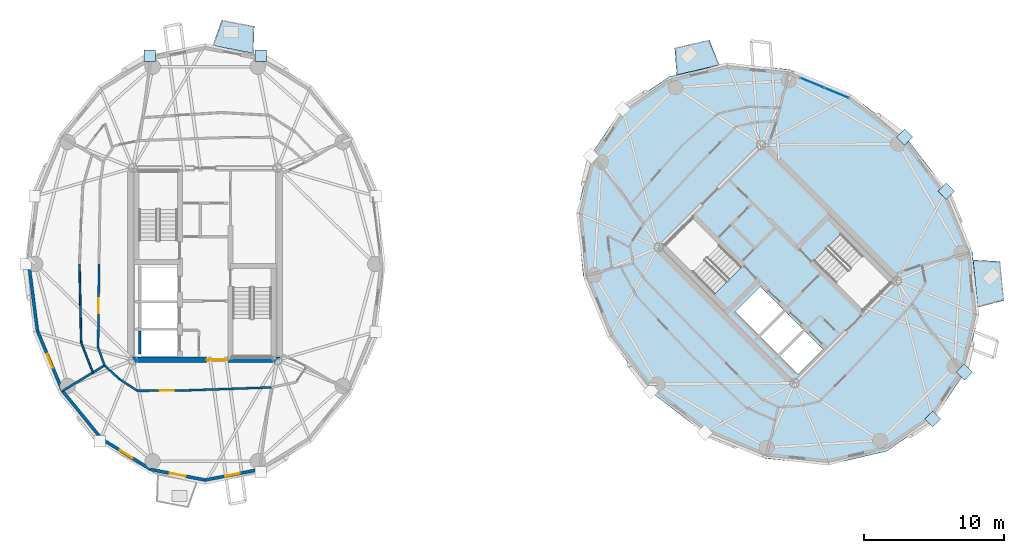
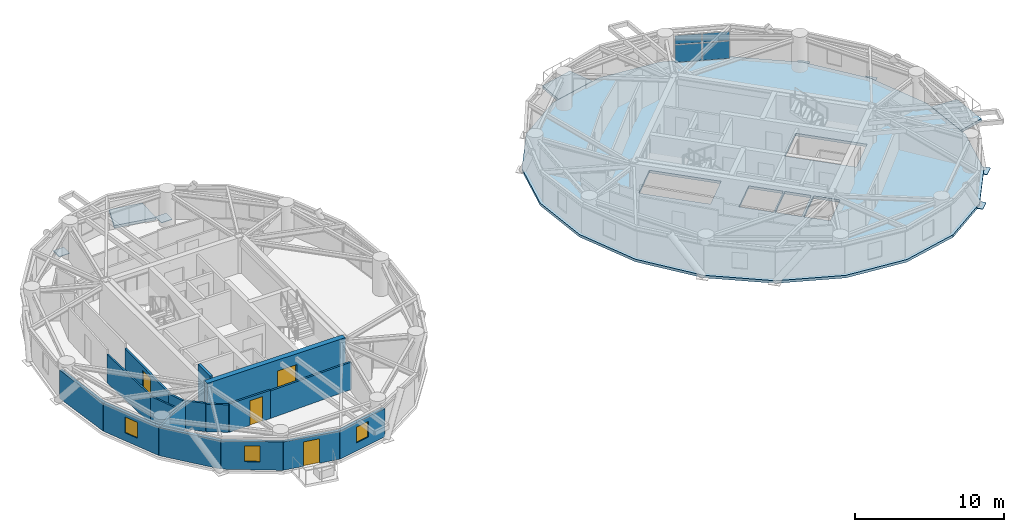
# One storey, part 7 of 16: 17 walls, 10 plates, 4 doors, 4 slabs, 3 windows, 7 openings, 1 element without a shape of its own.
"""IFC4 building model written with IfcOpenShell, lengths in metres."""

import ifcopenshell
import ifcopenshell.guid

model = None  # the IFC model being written
_history = None  # IfcOwnerHistory: only IFC2X3 demands one
_inside = {}  # id of a spatial element -> (the spatial element, [elements in it])
_under = {}  # id of a project, library or spatial element -> (it, [spatial elements below it])
_declared = {}  # id of a project -> (the project, [libraries it declares])
_typed = {}  # id of a type object -> (the type object, [elements of that type])
_made_of = {}  # id of a material, layer set ... -> (it, [elements and type objects made of it])


def new_model(schema):
    """Start an empty IFC model of exactly this schema.

    Asked for "IFC4X3", IfcOpenShell would pick the latest addendum, in which some entities
    have other attributes; the version numbers below select the first issue.
    IFC2X3 requires an IfcOwnerHistory on every rooted entity: one is made here for all.
    """
    global model, _history
    if schema == "IFC4X3":
        model = ifcopenshell.file(schema_version=(4, 3, 0, 0))
    else:
        model = ifcopenshell.file(schema=schema)
    _inside.clear()
    _under.clear()
    _declared.clear()
    _typed.clear()
    _made_of.clear()
    _history = None
    if model.schema == "IFC2X3":
        org = make("IfcOrganization", Name="unknown")
        user = make(
            "IfcPersonAndOrganization",
            ThePerson=make("IfcPerson", FamilyName="unknown"),
            TheOrganization=org,
        )
        app = make(
            "IfcApplication",
            ApplicationDeveloper=org,
            Version="unknown",
            ApplicationFullName="unknown",
            ApplicationIdentifier="unknown",
        )
        _history = make(
            "IfcOwnerHistory",
            OwningUser=user,
            OwningApplication=app,
            ChangeAction="ADDED",
            CreationDate=0,
        )
    return model


def make(cls, **values):
    """One entity of the class cls with the attributes given. An attribute that is None is left unset."""
    return model.create_entity(
        cls, **{name: value for name, value in values.items() if value is not None}
    )


def rooted(cls, **values):
    """An entity with a GlobalId (a new one), such as an element, a storey or a relation."""
    return make(cls, GlobalId=ifcopenshell.guid.new(), OwnerHistory=_history, **values)


def si_unit(unit_type, name, prefix=None):
    """IfcSIUnit, for example si_unit("LENGTHUNIT", "METRE", prefix="MILLI")."""
    return make("IfcSIUnit", UnitType=unit_type, Prefix=prefix, Name=name)


def assignment(units):
    """IfcUnitAssignment: the units of a project."""
    return None if units is None else make("IfcUnitAssignment", Units=units)


def point(xyz):
    """IfcCartesianPoint."""
    return None if xyz is None else make("IfcCartesianPoint", Coordinates=xyz)


def direction(xyz):
    """IfcDirection."""
    return None if xyz is None else make("IfcDirection", DirectionRatios=xyz)


def frame(location, z_axis=None, x_axis=None):
    """IfcAxis2Placement3D, a coordinate frame: its origin and axes. An axis left out is left unset."""
    return make(
        "IfcAxis2Placement3D",
        Location=point(location),
        Axis=direction(z_axis),
        RefDirection=direction(x_axis),
    )


def frame_2d(location, x_axis=None):
    """IfcAxis2Placement2D, a coordinate frame in the plane: its origin and x axis."""
    return make(
        "IfcAxis2Placement2D", Location=point(location), RefDirection=direction(x_axis)
    )


def origin():
    """The frame at (0, 0, 0) with its axes left unset."""
    return frame((0.0, 0.0, 0.0))


def origin_2d():
    """The frame at (0, 0) in the plane with its x axis left unset."""
    return frame_2d((0.0, 0.0))


def place(relative_to, where):
    """IfcLocalPlacement: puts the frame where relative to a parent placement (None: the world)."""
    return make(
        "IfcLocalPlacement", PlacementRelTo=relative_to, RelativePlacement=where
    )


def context(
    kind, dimensions, precision=None, world=None, true_north=None, identifier=None
):
    """IfcGeometricRepresentationContext, for example the 3D "Model" context."""
    return make(
        "IfcGeometricRepresentationContext",
        ContextIdentifier=identifier,
        ContextType=kind,
        CoordinateSpaceDimension=dimensions,
        Precision=precision,
        WorldCoordinateSystem=world,
        TrueNorth=true_north,
    )


def subcontext(parent, identifier, kind, view, scale=None):
    """IfcGeometricRepresentationSubContext, for example "Body" below "Model"."""
    return make(
        "IfcGeometricRepresentationSubContext",
        ContextIdentifier=identifier,
        ContextType=kind,
        ParentContext=parent,
        TargetScale=scale,
        TargetView=view,
    )


def project(units=None, contexts=None):
    """IfcProject with its units and contexts."""
    return rooted(
        "IfcProject",
        Name="project",
        RepresentationContexts=contexts,
        UnitsInContext=assignment(units),
    )


def spatial(cls, under=None, at=None, **own):
    """A site, building, storey or space (cls), placed at a placement, below another one or the project."""
    s = rooted(cls, ObjectPlacement=at, **own)
    if under is not None:
        _under.setdefault(under.id(), (under, []))[1].append(s)
    return s


def polyline(points):
    """IfcPolyline through the points."""
    return make("IfcPolyline", Points=[point(p) for p in points])


def profile(cls, at=None, kind="AREA", **sizes):
    """A parametric profile (cls). Its sizes go by their IFC names, for example OverallWidth=200.0."""
    return make(cls, ProfileType=kind, Position=at, **sizes)


def rectangle(**sizes):
    """IfcRectangleProfileDef."""
    return profile("IfcRectangleProfileDef", **sizes)


def outline(outer, holes=None, kind="AREA"):
    """IfcArbitraryClosedProfileDef: a profile drawn as a closed curve; with holes, ...WithVoids."""
    if holes is None:
        return make("IfcArbitraryClosedProfileDef", ProfileType=kind, OuterCurve=outer)
    return make(
        "IfcArbitraryProfileDefWithVoids",
        ProfileType=kind,
        OuterCurve=outer,
        InnerCurves=holes,
    )


def extrude(swept, where, along, depth):
    """IfcExtrudedAreaSolid: the profile swept, set in the frame where, extruded along a direction by depth."""
    return make(
        "IfcExtrudedAreaSolid",
        SweptArea=swept,
        Position=where,
        ExtrudedDirection=direction(along),
        Depth=depth,
    )


def shape(context_of_items, identifier, shape_type, items):
    """IfcShapeRepresentation: the items that make up one representation, for example the "Body"."""
    return make(
        "IfcShapeRepresentation",
        ContextOfItems=context_of_items,
        RepresentationIdentifier=identifier,
        RepresentationType=shape_type,
        Items=items,
    )


def source(mapping_origin, context_of_items, identifier, shape_type, items):
    """IfcRepresentationMap: a shape defined once, which mapped items show again and again."""
    return make(
        "IfcRepresentationMap",
        MappingOrigin=mapping_origin,
        MappedRepresentation=shape(context_of_items, identifier, shape_type, items),
    )


def transform(
    local_origin,
    x_axis=None,
    y_axis=None,
    z_axis=None,
    scale=None,
    scale2=None,
    scale3=None,
    uniform=True,
):
    """IfcCartesianTransformationOperator3D, or its non-uniform kind. x_axis, y_axis, z_axis: its Axis1, 2, 3."""
    if uniform:
        return make(
            "IfcCartesianTransformationOperator3D",
            Axis1=direction(x_axis),
            Axis2=direction(y_axis),
            LocalOrigin=point(local_origin),
            Scale=scale,
            Axis3=direction(z_axis),
        )
    return make(
        "IfcCartesianTransformationOperator3DnonUniform",
        Axis1=direction(x_axis),
        Axis2=direction(y_axis),
        LocalOrigin=point(local_origin),
        Scale=scale,
        Axis3=direction(z_axis),
        Scale2=scale2,
        Scale3=scale3,
    )


def mapped(mapping_source, mapping_target):
    """IfcMappedItem: shows the shape of a source again, moved by a transform."""
    return make(
        "IfcMappedItem", MappingSource=mapping_source, MappingTarget=mapping_target
    )


def material(Name=None, Category=None):
    """IfcMaterial."""
    return make("IfcMaterial", Name=Name, Category=Category)


def layer(
    of_material, thickness, ventilated=None, Name=None, Category=None, Priority=None
):
    """IfcMaterialLayer: one layer of a wall or slab, of a material (None: an air gap)."""
    return make(
        "IfcMaterialLayer",
        Material=of_material,
        LayerThickness=thickness,
        IsVentilated=ventilated,
        Name=Name,
        Category=Category,
        Priority=Priority,
    )


def layer_set(layers, Name=None):
    """IfcMaterialLayerSet."""
    return make("IfcMaterialLayerSet", MaterialLayers=layers, LayerSetName=Name)


def made_of(thing, what):
    """Note that an element or type object is made of a material, layer set ...; save() writes the relation."""
    if what is not None:
        _made_of.setdefault(what.id(), (what, []))[1].append(thing)
    return thing


def type_object(cls, material=None, **own):
    """A type object (cls), such as IfcWallType, which elements share."""
    return made_of(rooted(cls, **own), material)


def element(
    cls,
    number,
    at=None,
    inside=None,
    cuts=None,
    type_object=None,
    material=None,
    context=None,
    identifier="Body",
    shape_type=None,
    held_by="IfcProductDefinitionShape",
    body=None,
    shapes=None,
    **own,
):
    """One element of the class cls, such as IfcWall. Its Tag is "e" and its number.

    at: its placement. inside: the storey or other place that contains it. cuts: it is an
    opening in that element (IfcRelVoidsElement). A single representation is given by context,
    identifier, shape_type and body (its items); several are given by shapes. held_by: the class
    of the entity that holds the representations. save() writes the other relations.
    """
    e = rooted(cls, Tag="e%d" % number, ObjectPlacement=at, **own)
    if body is not None:
        shapes = [shape(context, identifier, shape_type, body)]
    if shapes is not None:
        e.Representation = make(held_by, Representations=shapes)
    if inside is not None:
        _inside.setdefault(inside.id(), (inside, []))[1].append(e)
    if cuts is not None:
        rooted(
            "IfcRelVoidsElement", RelatingBuildingElement=cuts, RelatedOpeningElement=e
        )
    if type_object is not None:
        _typed.setdefault(type_object.id(), (type_object, []))[1].append(e)
    return made_of(e, material)


def fill(opening, filler):
    """IfcRelFillsElement: the door or window that sits in an opening."""
    return rooted(
        "IfcRelFillsElement",
        RelatingOpeningElement=opening,
        RelatedBuildingElement=filler,
    )


def aggregate(whole, parts):
    """IfcRelAggregates: a whole, such as a stair, and the parts it consists of."""
    return rooted("IfcRelAggregates", RelatingObject=whole, RelatedObjects=parts)


def save(model, path):
    """Write the relations noted so far, then the file.

    IfcRelAggregates (storeys below a building ...), IfcRelContainedInSpatialStructure (elements
    in a storey), IfcRelDefinesByType, IfcRelAssociatesMaterial and IfcRelDeclares: one each for
    every whole, place, type object, material and project.
    """
    for whole, parts in _under.values():
        aggregate(whole, parts)
    for where, things in _inside.values():
        rooted(
            "IfcRelContainedInSpatialStructure",
            RelatedElements=things,
            RelatingStructure=where,
        )
    for kind, things in _typed.values():
        rooted("IfcRelDefinesByType", RelatedObjects=things, RelatingType=kind)
    for what, things in _made_of.values():
        rooted("IfcRelAssociatesMaterial", RelatedObjects=things, RelatingMaterial=what)
    for by, libraries in _declared.values():
        rooted("IfcRelDeclares", RelatingContext=by, RelatedDefinitions=libraries)
    model.write(path)


model = new_model("IFC4")

# Units and contexts
model_context = context("Model", 3, precision=1e-05, world=origin(), true_north=direction((0.0, 1.0)))
body_context = subcontext(model_context, "Body", "Model", "MODEL_VIEW")
ifc_project = project(units=[si_unit("LENGTHUNIT", "METRE"), si_unit("AREAUNIT", "SQUARE_METRE"), si_unit("VOLUMEUNIT", "CUBIC_METRE"), si_unit("PLANEANGLEUNIT", "RADIAN"), si_unit("MASSUNIT", "GRAM", prefix="KILO")], contexts=[model_context])

# Site, building, storey
site_placement = place(None, origin())
site = spatial("IfcSite", under=ifc_project, at=site_placement, CompositionType="ELEMENT")
building_placement = place(site_placement, origin())
building = spatial("IfcBuilding", under=site, at=building_placement, Name="Cununo Teusaquillo Station Towers", CompositionType="ELEMENT")
storey_placement = place(building_placement, frame((0.0, 0.0, 214.1201171875)))
storey = spatial("IfcBuildingStorey", under=building, at=storey_placement, Name="L68", CompositionType="ELEMENT", Elevation=214.1201171875)

# Slabs
ifc_material_1 = material(Name="Concrete C50/60", Category="concrete")
ifc_layer_1 = layer(ifc_material_1, 0.2099609375)
ifc_layer_set_1 = layer_set([ifc_layer_1], Name="Concrete C50/60")
slab_type_1 = type_object("IfcSlabType", Name="SLB-BAL-210", PredefinedType="FLOOR", material=ifc_layer_set_1)
slab_1_placement = place(storey_placement, frame((0.0, 0.0, -0.210205078125)))
element("IfcSlab", 1, at=slab_1_placement, inside=storey, type_object=slab_type_1, Name="L68 Tower A Tree Balcony Slab 1", PredefinedType="FLOOR", context=body_context, shape_type="SweptSolid", body=[
    extrude(outline(polyline([(19.9501953125, 39.58837890625), (17.041015625, 40.150634765625), (17.69873046875, 41.973876953125), (20.01904296875, 41.525390625), (19.9501953125, 39.58837890625)])), origin(), (0.0, 0.0, 1.0), 0.210205078125),
])
slab_2_placement = place(storey_placement, frame((0.0, 0.0, -0.210205078125)))
element("IfcSlab", 2, at=slab_2_placement, inside=storey, type_object=slab_type_1, Name="L68 Tower B Tree Balcony Slab 1", PredefinedType="FLOOR", context=body_context, shape_type="SweptSolid", body=[
    extrude(outline(polyline([(53.319091796875, 38.755615234375), (50.263671875, 38.04248046875), (50.12060546875, 39.9755859375), (52.591796875, 40.55224609375), (53.319091796875, 38.755615234375)])), origin(), (0.0, 0.0, 1.0), 0.210205078125),
])
slab_3_placement = place(storey_placement, frame((0.0, 0.0, -0.210205078125)))
element("IfcSlab", 3, at=slab_3_placement, inside=storey, type_object=slab_type_1, Name="L68 Tower B Tree Balcony Slab 2", PredefinedType="FLOOR", context=body_context, shape_type="SweptSolid", body=[
    extrude(outline(polyline([(71.826416015625, 21.403564453125), (71.490478515625, 24.79248046875), (73.42578125, 24.6826171875), (73.702392578125, 21.89111328125), (71.826416015625, 21.403564453125)])), origin(), (0.0, 0.0, 1.0), 0.210205078125),
])
ifc_material_2 = material(Name="Concrete C40/50", Category="concrete")
ifc_layer_2 = layer(ifc_material_2, 0.2099609375)
ifc_layer_set_2 = layer_set([ifc_layer_2], Name="Concrete C40/50")
slab_type_2 = type_object("IfcSlabType", Name="SLB-Z4-200", PredefinedType="FLOOR", material=ifc_layer_set_2)
slab_4_placement = place(storey_placement, frame((0.0, 0.0, -0.210205078125)))
element("IfcSlab", 4, at=slab_4_placement, inside=storey, type_object=slab_type_2, Name="L68 Tower B Floor Slab", PredefinedType="FLOOR", context=body_context, shape_type="SweptSolid", body=[
    extrude(outline(polyline([(66.628662109375, 33.628662109375), (62.740478515625, 36.623291015625), (58.339111328125, 38.431396484375), (53.855712890625, 38.875732421875), (49.72900390625, 37.912841796875), (46.363037109375, 35.636962890625), (44.087158203125, 32.27099609375), (43.124267578125, 28.144287109375), (43.568603515625, 23.660888671875), (45.376708984375, 19.259521484375), (48.371337890625, 15.371337890625), (52.259521484375, 12.376708984375), (56.660888671875, 10.568603515625), (61.144287109375, 10.124267578125), (65.27099609375, 11.087158203125), (68.636962890625, 13.363037109375), (70.912841796875, 16.72900390625), (71.875732421875, 20.855712890625), (71.431396484375, 25.339111328125), (69.623291015625, 29.740478515625), (66.628662109375, 33.628662109375)]), holes=[polyline([(54.914794921875, 24.28515625), (51.390625, 27.809326171875), (49.43896484375, 25.857666015625), (52.963134765625, 22.33349609375), (54.914794921875, 24.28515625)]), polyline([(60.085205078125, 24.71484375), (63.609375, 21.190673828125), (65.56103515625, 23.142333984375), (62.036865234375, 26.66650390625), (60.085205078125, 24.71484375)]), polyline([(56.156494140625, 19.40869140625), (57.945556640625, 21.19775390625), (56.248291015625, 22.89501953125), (54.45947265625, 21.10595703125), (56.156494140625, 19.40869140625)]), polyline([(58.94970703125, 16.61572265625), (60.738525390625, 18.40478515625), (59.430419921875, 19.712890625), (57.641357421875, 17.923828125), (58.94970703125, 16.61572265625)]), polyline([(57.535400390625, 18.030029296875), (59.32421875, 19.819091796875), (58.01611328125, 21.127197265625), (56.227294921875, 19.338134765625), (57.535400390625, 18.030029296875)])]), origin(), (0.0, 0.0, 1.0), 0.210205078125),
])

# Plates
ifc_material_3 = material(Name="Steel ASTM A572 Grade 50", Category="steel")
ifc_layer_3 = layer(ifc_material_3, 0.044921875)
ifc_layer_set_3 = layer_set([ifc_layer_3], Name="Steel ASTM A572 Grade 50")
plate_type_1 = type_object("IfcPlateType", Name="PLT-NODE-DN2", PredefinedType="USERDEFINED", material=ifc_layer_set_3)
shared_shape_1 = source(origin(), body_context, "Body", "SweptSolid", [
    extrude(rectangle(XDim=0.820068359375, YDim=0.820068359375, at=origin_2d()), origin(), (0.0, 0.0, 1.0), 0.044921875),
])
for number, where, z_axis, x_axis, name in (
    (5, (20.470947265625, 39.422119140625, -0.16259765625), (0.0, 0.0, 1.0), (1.0, 0.0, 0.0), "L68 Tower A Diagrid Node Assembly C03"),
    (6, (12.529052734375, 39.422119140625, -0.16259765625), (0.0, 0.0, 1.0), (1.0, 0.0, 0.0), "L68 Tower A Diagrid Node Assembly C06"),
    (7, (66.586181640625, 33.586181640625, -0.16259765625), (0.0, 0.0, 1.0), (0.707106781187, 0.707106781187, 0.0), "L68 Tower B Diagrid Node Assembly C00"),
    (8, (68.594482421875, 13.405517578125, -0.16259765625), (0.0, 0.0, 1.0), (0.707106781187, 0.707106781187, 0.0), "L68 Tower B Diagrid Node Assembly C14"),
    (9, (70.859375, 16.75634765625, -0.16259765625), (0.0, 0.0, 1.0), (0.707106781187, 0.707106781187, 0.0), "L68 Tower B Diagrid Node Assembly C16"),
    (10, (69.570068359375, 29.713134765625, -0.16259765625), (0.0, 0.0, 1.0), (0.707106781187, 0.707106781187, 0.0), "L68 Tower B Diagrid Node Assembly C18"),
):
    element("IfcPlate", number, at=place(storey_placement, frame(where, z_axis=z_axis, x_axis=x_axis)), inside=storey, type_object=plate_type_1, Name=name, ObjectType="GUSSET PLATE", PredefinedType="USERDEFINED", context=body_context, shape_type="MappedRepresentation", body=[
        mapped(shared_shape_1, transform((0.0, 0.0, 0.0), x_axis=(1.0, 0.0, 0.0), y_axis=(0.0, 1.0, 0.0), z_axis=(0.0, 0.0, 1.0), scale=1.0)),
    ])

# Curtain wall, plates
ifc_material_4 = material(Name="Ceramic-fritted dark low-E double glazing", Category="glass")
ifc_layer_4 = layer(ifc_material_4, 0.179931640625)
ifc_layer_set_4 = layer_set([ifc_layer_4], Name="Ceramic-fritted dark low-E double glazing")
curtain_wall_type = type_object("IfcCurtainWallType", Name="CW-SYS-07", PredefinedType="USERDEFINED", material=ifc_layer_set_4)
curtain_wall_placement = place(storey_placement, origin())
curtain_wall = element("IfcCurtainWall", 11, at=curtain_wall_placement, inside=storey, type_object=curtain_wall_type, Name="L68 Tower B Facade Curtain Wall C01", ObjectType="FRITTED GLAZING", PredefinedType="USERDEFINED")
ifc_material_5 = material(Name="Ceramic-fritted dark low-E double glazing", Category="glass")
ifc_layer_5 = layer(ifc_material_5, 0.028076171875)
ifc_layer_set_5 = layer_set([ifc_layer_5], Name="Ceramic-fritted dark low-E double glazing")
plate_type_2 = type_object("IfcPlateType", Name="CWP-FRIT-28", PredefinedType="CURTAIN_PANEL", material=ifc_layer_set_5)
shared_shape_2 = source(origin(), body_context, "Body", "SweptSolid", [
    extrude(rectangle(XDim=1.81298828125, YDim=0.028076171875, at=origin_2d()), origin(), (0.0, 0.0, 1.0), 1.41162109375),
])
plate_1_placement = place(storey_placement, frame((59.979248046875, 37.46044921875, 0.06494140625), z_axis=(0.0, 0.0, 1.0), x_axis=(0.924447019904, -0.381310513086, 0.0)))
plate_1 = element("IfcPlate", 12, at=plate_1_placement, type_object=plate_type_2, Name="CW-07 panel 1.1", PredefinedType="CURTAIN_PANEL", context=body_context, shape_type="MappedRepresentation", body=[
    mapped(shared_shape_2, transform((0.0, 0.0, 0.0), x_axis=(1.0, 0.0, 0.0), y_axis=(0.0, 1.0, 0.0), z_axis=(0.0, 0.0, 1.0), scale=1.0)),
])
plate_2_placement = place(storey_placement, frame((61.71533203125, 36.744384765625, 0.06494140625), z_axis=(0.0, 0.0, 1.0), x_axis=(0.924447019904, -0.381310513086, 0.0)))
plate_2 = element("IfcPlate", 13, at=plate_2_placement, type_object=plate_type_2, Name="CW-07 panel 2.1", PredefinedType="CURTAIN_PANEL", context=body_context, shape_type="MappedRepresentation", body=[
    mapped(shared_shape_2, transform((0.0, 0.0, 0.0), x_axis=(1.0, 0.0, 0.0), y_axis=(0.0, 1.0, 0.0), z_axis=(0.0, 0.0, 1.0), scale=1.0)),
])
shared_shape_3 = source(origin(), body_context, "Body", "SweptSolid", [
    extrude(rectangle(XDim=1.81298828125, YDim=0.028076171875, at=origin_2d()), origin(), (0.0, 0.0, 1.0), 0.715576171875),
])
plate_3_placement = place(storey_placement, frame((59.979248046875, 37.46044921875, 1.54150390625), z_axis=(0.0, 0.0, 1.0), x_axis=(0.924447019904, -0.381310513086, 0.0)))
plate_3 = element("IfcPlate", 14, at=plate_3_placement, type_object=plate_type_2, Name="CW-07 panel 1.2", PredefinedType="CURTAIN_PANEL", context=body_context, shape_type="MappedRepresentation", body=[
    mapped(shared_shape_3, transform((0.0, 0.0, 0.0), x_axis=(1.0, 0.0, 0.0), y_axis=(0.0, 1.0, 0.0), z_axis=(0.0, 0.0, 1.0), scale=1.0)),
])
plate_4_placement = place(storey_placement, frame((61.71533203125, 36.744384765625, 1.54150390625), z_axis=(0.0, 0.0, 1.0), x_axis=(0.924447019904, -0.381310513086, 0.0)))
plate_4 = element("IfcPlate", 15, at=plate_4_placement, type_object=plate_type_2, Name="CW-07 panel 2.2", PredefinedType="CURTAIN_PANEL", context=body_context, shape_type="MappedRepresentation", body=[
    mapped(shared_shape_3, transform((0.0, 0.0, 0.0), x_axis=(1.0, 0.0, 0.0), y_axis=(0.0, 1.0, 0.0), z_axis=(0.0, 0.0, 1.0), scale=1.0)),
])
aggregate(curtain_wall, [plate_1, plate_3, plate_2, plate_4])

# Wall
ifc_material_6 = material(Name="Concrete C50/60", Category="concrete")
ifc_layer_6 = layer(ifc_material_6, 0.199951171875)
ifc_layer_set_6 = layer_set([ifc_layer_6], Name="Concrete C50/60")
wall_type_1 = type_object("IfcWallType", Name="WL-CORE-200", PredefinedType="SHEAR", material=ifc_layer_set_6)
wall_1_placement = place(storey_placement, frame((11.820068359375, 18.070068359375, 0.0), z_axis=(0.0, 0.0, 1.0), x_axis=(0.0, 1.0, 0.0)))
element("IfcWall", 16, at=wall_1_placement, inside=storey, type_object=wall_type_1, Name="L68 Tower A High-Rise Lift 1 Shaft Rear Shear Wall", PredefinedType="SHEAR", context=body_context, shape_type="SweptSolid", body=[
    extrude(rectangle(XDim=1.635009765625, YDim=0.199951171875, at=frame_2d((0.8173828125, 0.0))), origin(), (0.0, 0.0, 1.0), 2.909912109375),
])

# Wall, opening, door
ifc_material_7 = material(Name="Concrete C50/60", Category="concrete")
ifc_layer_7 = layer(ifc_material_7, 0.39990234375)
ifc_layer_set_7 = layer_set([ifc_layer_7], Name="Concrete C50/60")
wall_type_2 = type_object("IfcWallType", Name="WL-CORE-400", PredefinedType="SHEAR", material=ifc_layer_set_7)
wall_2_placement = place(storey_placement, frame((11.14990234375, 17.64990234375, 0.0), z_axis=(0.0, 0.0, 1.0), x_axis=(1.0, 0.0, 0.0)))
wall_2 = element("IfcWall", 17, at=wall_2_placement, inside=storey, type_object=wall_type_2, Name="L68 Tower A Core Shear Wall S", PredefinedType="SHEAR", context=body_context, shape_type="SweptSolid", body=[
    extrude(rectangle(XDim=10.7001953125, YDim=0.39990234375, at=frame_2d((5.35009765625, 0.0))), origin(), (0.0, 0.0, 1.0), 2.909912109375),
])
shared_shape_4 = source(origin(), body_context, "Body", "SweptSolid", [
    extrude(rectangle(XDim=1.5, YDim=2.02001953125, at=frame_2d((0.75, 1.010009765625))), frame((0.0, 0.2099609375, 0.0), z_axis=(0.0, -1.0, 0.0), x_axis=(1.0, 0.0, 0.0)), (0.0, 0.0, 1.0), 0.419921875),
])
opening_1_placement = place(wall_2_placement, frame((5.449951171875, 0.0, 0.0)))
opening_1 = element("IfcOpeningElement", 18, at=opening_1_placement, cuts=wall_2, Name="Opening D-LB1", PredefinedType="OPENING", context=body_context, shape_type="MappedRepresentation", body=[
    mapped(shared_shape_4, transform((0.0, 0.0, 0.0), x_axis=(1.0, 0.0, 0.0), y_axis=(0.0, 1.0, 0.0), z_axis=(0.0, 0.0, 1.0), scale=1.0)),
])
ifc_material_8 = material(Name="Galvanised fire-rated hollow steel door assembly", Category="steel")
door_type_1 = type_object("IfcDoorType", Name="DR-LOBBY-1500", OperationType="DOUBLE_DOOR_SINGLE_SWING", PredefinedType="DOOR", material=ifc_material_8)
shared_shape_5 = source(origin(), body_context, "Body", "SweptSolid", [
    extrude(rectangle(XDim=1.5, YDim=2.02001953125, at=frame_2d((0.75, 1.010009765625))), frame((0.0, 0.02490234375, 0.0), z_axis=(0.0, -1.0, 0.0), x_axis=(1.0, 0.0, 0.0)), (0.0, 0.0, 1.0), 0.050048828125),
])
door_1_placement = place(opening_1_placement, origin())
door_1 = element("IfcDoor", 19, at=door_1_placement, inside=storey, type_object=door_type_1, Name="L68 Tower A South Core Lift Lobby Door", OperationType="DOUBLE_DOOR_SINGLE_SWING", OverallHeight=2.02001953125, OverallWidth=1.5, PredefinedType="DOOR", context=body_context, shape_type="MappedRepresentation", body=[
    mapped(shared_shape_5, transform((0.0, 0.0, 0.0), x_axis=(1.0, 0.0, 0.0), y_axis=(0.0, 1.0, 0.0), z_axis=(0.0, 0.0, 1.0), scale=1.0)),
])
fill(opening_1, door_1)

# Wall
ifc_material_9 = material(Name="Precast concrete C40/50", Category="concrete")
ifc_layer_8 = layer(ifc_material_9, 0.219970703125)
ifc_layer_set_8 = layer_set([ifc_layer_8], Name="Precast concrete C40/50")
wall_type_3 = type_object("IfcWallType", Name="WL-EXT-220", PredefinedType="SOLIDWALL", material=ifc_layer_set_8)
wall_3_placement = place(storey_placement, frame((4.48828125, 19.719482421875, 0.0), z_axis=(0.0, 0.0, 1.0), x_axis=(-0.128241318541, 0.991742993027, 0.0)))
element("IfcWall", 20, at=wall_3_placement, inside=storey, type_object=wall_type_3, Name="L68 Tower A Exterior Facade Wall C10", PredefinedType="SOLIDWALL", context=body_context, shape_type="SweptSolid", body=[
    extrude(rectangle(XDim=4.8203125, YDim=0.219970703125, at=frame_2d((2.41015625, 0.0))), origin(), (0.0, 0.0, 1.0), 2.32177734375),
])

# Wall, opening, window
wall_4_placement = place(storey_placement, frame((6.281982421875, 15.406982421875, 0.0), z_axis=(0.0, 0.0, 1.0), x_axis=(-0.384036305194, 0.923317993052, 0.0)))
wall_4 = element("IfcWall", 21, at=wall_4_placement, inside=storey, type_object=wall_type_3, Name="L68 Tower A Exterior Facade Wall C11", PredefinedType="SOLIDWALL", context=body_context, shape_type="SweptSolid", body=[
    extrude(rectangle(XDim=4.670654296875, YDim=0.219970703125, at=frame_2d((2.33544921875, 0.0))), origin(), (0.0, 0.0, 1.0), 2.32177734375),
])
shared_shape_6 = source(origin(), body_context, "Body", "SweptSolid", [
    extrude(rectangle(XDim=1.050048828125, YDim=1.300048828125, at=frame_2d((0.52490234375, 0.64990234375))), frame((0.0, 0.119873046875, 0.0), z_axis=(0.0, -1.0, 0.0), x_axis=(1.0, 0.0, 0.0)), (0.0, 0.0, 1.0), 0.239990234375),
])
opening_2_placement = place(wall_4_placement, frame((1.81005859375, 0.0, 0.64990234375)))
opening_2 = element("IfcOpeningElement", 22, at=opening_2_placement, cuts=wall_4, Name="Opening WN-04", PredefinedType="OPENING", context=body_context, shape_type="MappedRepresentation", body=[
    mapped(shared_shape_6, transform((0.0, 0.0, 0.0), x_axis=(1.0, 0.0, 0.0), y_axis=(0.0, 1.0, 0.0), z_axis=(0.0, 0.0, 1.0), scale=1.0)),
])
ifc_material_10 = material(Name="Operable acoustic tinted low-E double glazing", Category="glass")
window_type = type_object("IfcWindowType", Name="WIN-BAL-1050", PartitioningType="SINGLE_PANEL", PredefinedType="WINDOW", material=ifc_material_10)
shared_shape_7 = source(origin(), body_context, "Body", "SweptSolid", [
    extrude(rectangle(XDim=1.050048828125, YDim=1.300048828125, at=frame_2d((0.52490234375, 0.64990234375))), frame((0.0, 0.030029296875, 0.0), z_axis=(0.0, -1.0, 0.0), x_axis=(1.0, 0.0, 0.0)), (0.0, 0.0, 1.0), 0.06005859375),
])
window_1_placement = place(opening_2_placement, origin())
window_1 = element("IfcWindow", 23, at=window_1_placement, inside=storey, type_object=window_type, Name="L68 Tower A Facade Window C11", OverallHeight=1.300048828125, OverallWidth=1.050048828125, PartitioningType="SINGLE_PANEL", PredefinedType="WINDOW", context=body_context, shape_type="MappedRepresentation", body=[
    mapped(shared_shape_7, transform((0.0, 0.0, 0.0), x_axis=(1.0, 0.0, 0.0), y_axis=(0.0, 1.0, 0.0), z_axis=(0.0, 0.0, 1.0), scale=1.0)),
])
fill(opening_2, window_1)

# Wall
wall_5_placement = place(storey_placement, frame((9.076416015625, 11.984619140625, 0.0), z_axis=(0.0, 0.0, 1.0), x_axis=(-0.632467166636, 0.774587169483, 0.0)))
element("IfcWall", 24, at=wall_5_placement, inside=storey, type_object=wall_type_3, Name="L68 Tower A Exterior Facade Wall C12", PredefinedType="SOLIDWALL", context=body_context, shape_type="SweptSolid", body=[
    extrude(rectangle(XDim=4.418212890625, YDim=0.219970703125, at=frame_2d((2.208984375, 0.0))), origin(), (0.0, 0.0, 1.0), 2.32177734375),
])

# Wall, opening, window
wall_6_placement = place(storey_placement, frame((12.59716796875, 9.787109375, 0.0), z_axis=(0.0, 0.0, 1.0), x_axis=(-0.848318713376, 0.529485939886, 0.0)))
wall_6 = element("IfcWall", 25, at=wall_6_placement, inside=storey, type_object=wall_type_3, Name="L68 Tower A Exterior Facade Wall C13", PredefinedType="SOLIDWALL", context=body_context, shape_type="SweptSolid", body=[
    extrude(rectangle(XDim=4.150390625, YDim=0.219970703125, at=frame_2d((2.0751953125, 0.0))), origin(), (0.0, 0.0, 1.0), 2.32177734375),
])
opening_3_placement = place(wall_6_placement, frame((1.550048828125, 0.0, 0.64990234375)))
opening_3 = element("IfcOpeningElement", 26, at=opening_3_placement, cuts=wall_6, Name="Opening WN-04", PredefinedType="OPENING", context=body_context, shape_type="MappedRepresentation", body=[
    mapped(shared_shape_6, transform((0.0, 0.0, 0.0), x_axis=(1.0, 0.0, 0.0), y_axis=(0.0, 1.0, 0.0), z_axis=(0.0, 0.0, 1.0), scale=1.0)),
])
window_2_placement = place(opening_3_placement, origin())
window_2 = element("IfcWindow", 27, at=window_2_placement, inside=storey, type_object=window_type, Name="L68 Tower A Facade Window C13", OverallHeight=1.300048828125, OverallWidth=1.050048828125, PartitioningType="SINGLE_PANEL", PredefinedType="WINDOW", context=body_context, shape_type="MappedRepresentation", body=[
    mapped(shared_shape_7, transform((0.0, 0.0, 0.0), x_axis=(1.0, 0.0, 0.0), y_axis=(0.0, 1.0, 0.0), z_axis=(0.0, 0.0, 1.0), scale=1.0)),
])
fill(opening_3, window_2)

# Wall, opening, door
wall_7_placement = place(storey_placement, frame((16.5, 9.030029296875, 0.0), z_axis=(0.0, 0.0, 1.0), x_axis=(-0.981700307484, 0.190432419211, 0.0)))
wall_7 = element("IfcWall", 28, at=wall_7_placement, inside=storey, type_object=wall_type_3, Name="L68 Tower A Exterior Facade Wall C14", PredefinedType="SOLIDWALL", context=body_context, shape_type="SweptSolid", body=[
    extrude(rectangle(XDim=3.9755859375, YDim=0.219970703125, at=frame_2d((1.98779296875, 0.0))), origin(), (0.0, 0.0, 1.0), 2.32177734375),
])
shared_shape_8 = source(origin(), body_context, "Body", "SweptSolid", [
    extrude(rectangle(XDim=1.14990234375, YDim=2.0048828125, at=frame_2d((0.574951171875, 1.00244140625))), frame((0.0, 0.119873046875, 0.0), z_axis=(0.0, -1.0, 0.0), x_axis=(1.0, 0.0, 0.0)), (0.0, 0.0, 1.0), 0.239990234375),
])
opening_4_placement = place(wall_7_placement, frame((1.4130859375, 0.0, 0.0)))
opening_4 = element("IfcOpeningElement", 29, at=opening_4_placement, cuts=wall_7, Name="Opening ED-03", PredefinedType="OPENING", context=body_context, shape_type="MappedRepresentation", body=[
    mapped(shared_shape_8, transform((0.0, 0.0, 0.0), x_axis=(1.0, 0.0, 0.0), y_axis=(0.0, 1.0, 0.0), z_axis=(0.0, 0.0, 1.0), scale=1.0)),
])
ifc_material_11 = material(Name="Anodised dark bronze aluminium EN AW-6063-T6", Category="aluminium")
door_type_2 = type_object("IfcDoorType", Name="DR-EXT-BAL", OperationType="NOTDEFINED", PredefinedType="DOOR", material=ifc_material_11)
shared_shape_9 = source(origin(), body_context, "Body", "SweptSolid", [
    extrude(rectangle(XDim=1.14990234375, YDim=2.0048828125, at=frame_2d((0.574951171875, 1.00244140625))), frame((0.0, 0.02490234375, 0.0), z_axis=(0.0, -1.0, 0.0), x_axis=(1.0, 0.0, 0.0)), (0.0, 0.0, 1.0), 0.050048828125),
])
door_2_placement = place(opening_4_placement, origin())
door_2 = element("IfcDoor", 30, at=door_2_placement, inside=storey, type_object=door_type_2, Name="L68 Tower A Tree Balcony Door C14", OperationType="SINGLE_SWING_LEFT", OverallHeight=2.0048828125, OverallWidth=1.14990234375, PredefinedType="DOOR", context=body_context, shape_type="MappedRepresentation", body=[
    mapped(shared_shape_9, transform((0.0, 0.0, 0.0), x_axis=(1.0, 0.0, 0.0), y_axis=(0.0, 1.0, 0.0), z_axis=(0.0, 0.0, 1.0), scale=1.0)),
])
fill(opening_4, door_2)

# Wall, opening, window
wall_8_placement = place(storey_placement, frame((20.40283203125, 9.787109375, 0.0), z_axis=(0.0, 0.0, 1.0), x_axis=(-0.981700307484, -0.190432419211, 0.0)))
wall_8 = element("IfcWall", 31, at=wall_8_placement, inside=storey, type_object=wall_type_3, Name="L68 Tower A Exterior Facade Wall C15", PredefinedType="SOLIDWALL", context=body_context, shape_type="SweptSolid", body=[
    extrude(rectangle(XDim=3.9755859375, YDim=0.219970703125, at=frame_2d((1.98779296875, 0.0))), origin(), (0.0, 0.0, 1.0), 2.32177734375),
])
opening_5_placement = place(wall_8_placement, frame((1.462890625, 0.0, 0.64990234375)))
opening_5 = element("IfcOpeningElement", 32, at=opening_5_placement, cuts=wall_8, Name="Opening WN-04", PredefinedType="OPENING", context=body_context, shape_type="MappedRepresentation", body=[
    mapped(shared_shape_6, transform((0.0, 0.0, 0.0), x_axis=(1.0, 0.0, 0.0), y_axis=(0.0, 1.0, 0.0), z_axis=(0.0, 0.0, 1.0), scale=1.0)),
])
window_3_placement = place(opening_5_placement, origin())
window_3 = element("IfcWindow", 33, at=window_3_placement, inside=storey, type_object=window_type, Name="L68 Tower A Facade Window C15", OverallHeight=1.300048828125, OverallWidth=1.050048828125, PartitioningType="SINGLE_PANEL", PredefinedType="WINDOW", context=body_context, shape_type="MappedRepresentation", body=[
    mapped(shared_shape_7, transform((0.0, 0.0, 0.0), x_axis=(1.0, 0.0, 0.0), y_axis=(0.0, 1.0, 0.0), z_axis=(0.0, 0.0, 1.0), scale=1.0)),
])
fill(opening_5, window_3)

# Walls
ifc_material_12 = material(Name="Fire-rated gypsum plasterboard partition assembly", Category="gypsum")
ifc_layer_9 = layer(ifc_material_12, 0.125)
ifc_layer_set_9 = layer_set([ifc_layer_9], Name="Fire-rated gypsum plasterboard partition assembly")
wall_type_4 = type_object("IfcWallType", Name="WL-PART-125", PredefinedType="PARTITIONING", material=ifc_layer_set_9)
wall_9_placement = place(storey_placement, frame((7.497314453125, 24.5, 0.0), z_axis=(0.0, 0.0, 1.0), x_axis=(0.021927972859, -0.999759553096, 0.0)))
element("IfcWall", 34, at=wall_9_placement, inside=storey, type_object=wall_type_4, Name="L68 Tower A Cordillera Pinnacle Club Concentric Partition Wall C10", PredefinedType="PARTITIONING", context=body_context, shape_type="SweptSolid", body=[
    extrude(rectangle(XDim=5.6337890625, YDim=0.125, at=frame_2d((2.81689453125, 0.0))), origin(), (0.0, 0.0, 1.0), 2.32177734375),
])
wall_10_placement = place(storey_placement, frame((7.620849609375, 18.86767578125, 0.0), z_axis=(0.0, 0.0, 1.0), x_axis=(0.361712646649, -0.93228963378, 0.0)))
element("IfcWall", 35, at=wall_10_placement, inside=storey, type_object=wall_type_4, Name="L68 Tower A Cordillera Pinnacle Club Concentric Partition Wall C11", PredefinedType="PARTITIONING", context=body_context, shape_type="SweptSolid", body=[
    extrude(rectangle(XDim=2.296875, YDim=0.125, at=frame_2d((1.1484375, 0.0))), origin(), (0.0, 0.0, 1.0), 2.2548828125),
])

# Wall, opening, door
ifc_material_13 = material(Name="Fire-rated gypsum plasterboard partition assembly", Category="gypsum")
ifc_layer_10 = layer(ifc_material_13, 0.14990234375)
ifc_layer_set_10 = layer_set([ifc_layer_10], Name="Fire-rated gypsum plasterboard partition assembly")
wall_type_5 = type_object("IfcWallType", Name="WL-PART-150", PredefinedType="PARTITIONING", material=ifc_layer_set_10)
wall_11_placement = place(storey_placement, frame((8.89990234375, 24.5, 0.0), z_axis=(0.0, 0.0, 1.0), x_axis=(-0.011416369353, -0.999934831132, 0.0)))
wall_11 = element("IfcWall", 36, at=wall_11_placement, inside=storey, type_object=wall_type_5, Name="L68 Tower A Corridor Ring Wall C10", PredefinedType="PARTITIONING", context=body_context, shape_type="SweptSolid", body=[
    extrude(rectangle(XDim=5.966552734375, YDim=0.14990234375, at=frame_2d((2.9833984375, 0.0))), origin(), (0.0, 0.0, 1.0), 2.32177734375),
])
shared_shape_10 = source(origin(), body_context, "Body", "SweptSolid", [
    extrude(rectangle(XDim=1.050048828125, YDim=2.014892578125, at=frame_2d((0.52490234375, 1.00732421875))), frame((0.0, 0.0849609375, 0.0), z_axis=(0.0, -1.0, 0.0), x_axis=(1.0, 0.0, 0.0)), (0.0, 0.0, 1.0), 0.169921875),
])
opening_6_placement = place(wall_11_placement, frame((2.458251953125, 0.0, 0.0)))
opening_6 = element("IfcOpeningElement", 37, at=opening_6_placement, cuts=wall_11, Name="Opening D-SU1", PredefinedType="OPENING", context=body_context, shape_type="MappedRepresentation", body=[
    mapped(shared_shape_10, transform((0.0, 0.0, 0.0), x_axis=(1.0, 0.0, 0.0), y_axis=(0.0, 1.0, 0.0), z_axis=(0.0, 0.0, 1.0), scale=1.0)),
])
ifc_material_14 = material(Name="Acoustic solid-core hardwood leaf assembly", Category="wood")
door_type_3 = type_object("IfcDoorType", Name="DR-SUITE-1050", OperationType="NOTDEFINED", PredefinedType="DOOR", material=ifc_material_14)
shared_shape_11 = source(origin(), body_context, "Body", "SweptSolid", [
    extrude(rectangle(XDim=1.050048828125, YDim=2.014892578125, at=frame_2d((0.52490234375, 1.00732421875))), frame((0.0, 0.02490234375, 0.0), z_axis=(0.0, -1.0, 0.0), x_axis=(1.0, 0.0, 0.0)), (0.0, 0.0, 1.0), 0.050048828125),
])
door_3_placement = place(opening_6_placement, origin())
door_3 = element("IfcDoor", 38, at=door_3_placement, inside=storey, type_object=door_type_3, Name="L68 Tower A Cordillera Pinnacle Club Entrance Door", OperationType="SINGLE_SWING_LEFT", OverallHeight=2.014892578125, OverallWidth=1.050048828125, PredefinedType="DOOR", context=body_context, shape_type="MappedRepresentation", body=[
    mapped(shared_shape_11, transform((0.0, 0.0, 0.0), x_axis=(1.0, 0.0, 0.0), y_axis=(0.0, 1.0, 0.0), z_axis=(0.0, 0.0, 1.0), scale=1.0)),
])
fill(opening_6, door_3)

# Walls
wall_12_placement = place(storey_placement, frame((8.831787109375, 18.533935546875, 0.0), z_axis=(0.0, 0.0, 1.0), x_axis=(0.332031819657, -0.943268186008, 0.0)))
element("IfcWall", 39, at=wall_12_placement, inside=storey, type_object=wall_type_5, Name="L68 Tower A Corridor Ring Wall C11", PredefinedType="PARTITIONING", context=body_context, shape_type="SweptSolid", body=[
    extrude(rectangle(XDim=1.377197265625, YDim=0.14990234375, at=frame_2d((0.6884765625, 0.0))), origin(), (0.0, 0.0, 1.0), 2.2548828125),
])
wall_13_placement = place(storey_placement, frame((9.2890625, 17.23486328125, 0.0), z_axis=(0.0, 0.0, 1.0), x_axis=(0.739015164946, -0.673688790155, 0.0)))
element("IfcWall", 40, at=wall_13_placement, inside=storey, type_object=wall_type_5, Name="L68 Tower A Corridor Ring Wall C12", PredefinedType="PARTITIONING", context=body_context, shape_type="SweptSolid", body=[
    extrude(rectangle(XDim=1.4462890625, YDim=0.14990234375, at=frame_2d((0.72314453125, 0.0))), origin(), (0.0, 0.0, 1.0), 2.32177734375),
])
wall_14_placement = place(storey_placement, frame((10.35791015625, 16.260498046875, 0.0), z_axis=(0.0, 0.0, 1.0), x_axis=(0.838265397059, -0.545262435983, 0.0)))
element("IfcWall", 41, at=wall_14_placement, inside=storey, type_object=wall_type_5, Name="L68 Tower A Corridor Ring Wall C13", PredefinedType="PARTITIONING", context=body_context, shape_type="SweptSolid", body=[
    extrude(rectangle(XDim=1.533935546875, YDim=0.14990234375, at=frame_2d((0.76708984375, 0.0))), origin(), (0.0, 0.0, 1.0), 2.2548828125),
])

# Wall, opening, door
wall_15_placement = place(storey_placement, frame((11.643798828125, 15.424072265625, 0.0), z_axis=(0.0, 0.0, 1.0), x_axis=(0.999986552511, 0.005186019339, 0.0)))
wall_15 = element("IfcWall", 42, at=wall_15_placement, inside=storey, type_object=wall_type_5, Name="L68 Tower A Corridor Ring Wall C14", PredefinedType="PARTITIONING", context=body_context, shape_type="SweptSolid", body=[
    extrude(rectangle(XDim=3.201171875, YDim=0.14990234375, at=frame_2d((1.6005859375, 0.0))), origin(), (0.0, 0.0, 1.0), 2.32177734375),
])
shared_shape_12 = source(origin(), body_context, "Body", "SweptSolid", [
    extrude(rectangle(XDim=1.0, YDim=2.014892578125, at=frame_2d((0.5, 1.00732421875))), frame((0.0, 0.0849609375, 0.0), z_axis=(0.0, -1.0, 0.0), x_axis=(1.0, 0.0, 0.0)), (0.0, 0.0, 1.0), 0.169921875),
])
opening_7_placement = place(wall_15_placement, frame((1.591064453125, 0.0, 0.0)))
opening_7 = element("IfcOpeningElement", 43, at=opening_7_placement, cuts=wall_15, Name="Opening D-AC1", PredefinedType="OPENING", context=body_context, shape_type="MappedRepresentation", body=[
    mapped(shared_shape_12, transform((0.0, 0.0, 0.0), x_axis=(1.0, 0.0, 0.0), y_axis=(0.0, 1.0, 0.0), z_axis=(0.0, 0.0, 1.0), scale=1.0)),
])
ifc_material_15 = material(Name="Acoustic solid-core hardwood leaf assembly", Category="wood")
door_type_4 = type_object("IfcDoorType", Name="DR-ACC-1000", OperationType="NOTDEFINED", PredefinedType="DOOR", material=ifc_material_15)
shared_shape_13 = source(origin(), body_context, "Body", "SweptSolid", [
    extrude(rectangle(XDim=1.0, YDim=2.014892578125, at=frame_2d((0.5, 1.00732421875))), frame((0.0, 0.02490234375, 0.0), z_axis=(0.0, -1.0, 0.0), x_axis=(1.0, 0.0, 0.0)), (0.0, 0.0, 1.0), 0.050048828125),
])
door_4_placement = place(opening_7_placement, origin())
door_4 = element("IfcDoor", 44, at=door_4_placement, inside=storey, type_object=door_type_4, Name="L68 Tower A Public Accessible Restroom WC Entrance Door", OperationType="SINGLE_SWING_LEFT", OverallHeight=2.014892578125, OverallWidth=1.0, PredefinedType="DOOR", context=body_context, shape_type="MappedRepresentation", body=[
    mapped(shared_shape_13, transform((0.0, 0.0, 0.0), x_axis=(1.0, 0.0, 0.0), y_axis=(0.0, 1.0, 0.0), z_axis=(0.0, 0.0, 1.0), scale=1.0)),
])
fill(opening_7, door_4)

# Walls
wall_16_placement = place(storey_placement, frame((14.844970703125, 15.440673828125, 0.0), z_axis=(0.0, 0.0, 1.0), x_axis=(0.99938794868, 0.034981824334, 0.0)))
element("IfcWall", 45, at=wall_16_placement, inside=storey, type_object=wall_type_5, Name="L68 Tower A Corridor Ring Wall C15", PredefinedType="PARTITIONING", context=body_context, shape_type="SweptSolid", body=[
    extrude(rectangle(XDim=6.392822265625, YDim=0.14990234375, at=frame_2d((3.1962890625, 0.0))), origin(), (0.0, 0.0, 1.0), 2.2548828125),
])
ifc_material_16 = material(Name="Fire-rated gypsum plasterboard partition assembly", Category="gypsum")
ifc_layer_11 = layer(ifc_material_16, 0.159912109375)
ifc_layer_set_11 = layer_set([ifc_layer_11], Name="Fire-rated gypsum plasterboard partition assembly")
wall_type_6 = type_object("IfcWallType", Name="WL-PART-160", PredefinedType="PARTITIONING", material=ifc_layer_set_11)
wall_17_placement = place(storey_placement, frame((9.2890625, 17.23486328125, 0.0), z_axis=(0.0, 0.0, 1.0), x_axis=(-0.854741081983, -0.519054604806, 0.0)))
element("IfcWall", 46, at=wall_17_placement, inside=storey, type_object=wall_type_6, Name="L68 Tower A Radial Suite Partition R04", PredefinedType="PARTITIONING", context=body_context, shape_type="SweptSolid", body=[
    extrude(rectangle(XDim=3.4990234375, YDim=0.159912109375, at=frame_2d((1.74951171875, 0.0))), origin(), (0.0, 0.0, 1.0), 2.32177734375),
])

save(model, "model.ifc")
